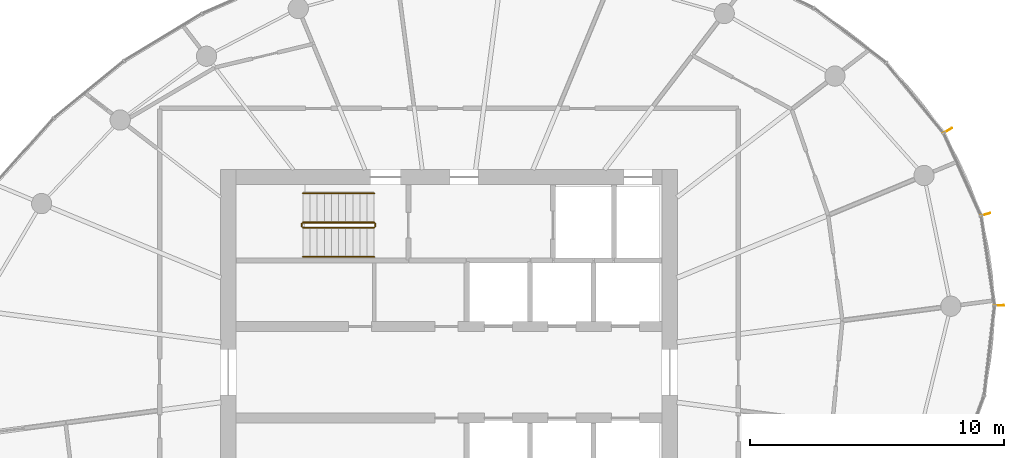
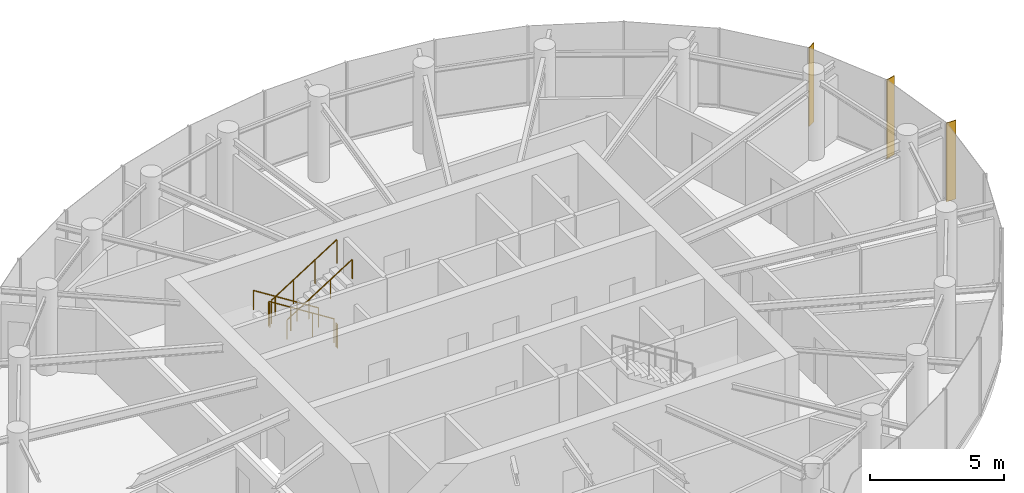
# One storey, part 13 of 13: 6 railings, 3 shading devices.
"""IFC4 building model written with IfcOpenShell, lengths in metres."""

from ifc_helpers import new_model, si_unit, direction, frame, origin, origin_2d, place, context, subcontext, project, spatial, rectangle, circle, extrude, source, transform, mapped, material, material_profile, profile_set, type_object, element, save


model = new_model("IFC4")

# Units and contexts
model_context = context("Model", 3, precision=1e-05, world=origin(), true_north=direction((0.0, 1.0)))
body_context = subcontext(model_context, "Body", "Model", "MODEL_VIEW")
ifc_project = project(units=[si_unit("LENGTHUNIT", "METRE"), si_unit("AREAUNIT", "SQUARE_METRE"), si_unit("VOLUMEUNIT", "CUBIC_METRE"), si_unit("PLANEANGLEUNIT", "RADIAN"), si_unit("MASSUNIT", "GRAM", prefix="KILO")], contexts=[model_context])

# Site, building, storey
site_placement = place(None, origin())
site = spatial("IfcSite", under=ifc_project, at=site_placement, CompositionType="ELEMENT")
building_placement = place(site_placement, origin())
building = spatial("IfcBuilding", under=site, at=building_placement, Name="Spindrift Exchange Tower", CompositionType="ELEMENT")
storey_placement = place(building_placement, frame((0.0, 0.0, 254.0)))
storey = spatial("IfcBuildingStorey", under=building, at=storey_placement, Name="L62", CompositionType="ELEMENT", Elevation=254.0)

# Railings
ifc_material_1 = material(Name="Steel balustrade", Category="steel")
railing_type_1 = type_object("IfcRailingType", Name="RL-STAIR-GUARD", PredefinedType="GUARDRAIL", material=ifc_material_1)
railing_1_placement = place(storey_placement, frame((49.050048828125, 53.89990234375, 0.17724609375)))
element("IfcRailing", 1, at=railing_1_placement, inside=storey, type_object=railing_type_1, Name="L62 ST1 stair guard 1", PredefinedType="GUARDRAIL", context=body_context, shape_type="SweptSolid", body=[
    extrude(circle(Radius=0.02392578125, at=origin_2d()), frame((0.0, 0.0, 1.076171875), z_axis=(-0.844908973607, 0.0, 0.534910110503), x_axis=(0.0, -1.0, 0.0)), (0.0, 0.0, 1.0), 3.31396484375),
    extrude(circle(Radius=0.02099609375, at=origin_2d()), origin(), (0.0, 0.0, 1.0), 1.052001953125),
    extrude(circle(Radius=0.02099609375, at=origin_2d()), frame((-0.933349609375, 0.0, 0.5908203125)), (0.0, 0.0, 1.0), 1.052001953125),
    extrude(circle(Radius=0.02099609375, at=origin_2d()), frame((-1.86669921875, 0.0, 1.181884765625)), (0.0, 0.0, 1.0), 1.052001953125),
    extrude(circle(Radius=0.02099609375, at=origin_2d()), frame((-2.800048828125, 0.0, 1.772705078125)), (0.0, 0.0, 1.0), 1.052001953125),
])
railing_2_placement = place(storey_placement, frame((46.199951171875, 53.85009765625, 1.949951171875)))
element("IfcRailing", 2, at=railing_2_placement, inside=storey, type_object=railing_type_1, Name="L62 ST1 stair guard 2", PredefinedType="GUARDRAIL", context=body_context, shape_type="SweptSolid", body=[
    extrude(circle(Radius=0.02392578125, at=origin_2d()), frame((0.0, 0.0, 1.076171875), z_axis=(0.0, -1.0, 0.0), x_axis=(1.0, 0.0, 0.0)), (0.0, 0.0, 1.0), 0.10009765625),
    extrude(circle(Radius=0.02099609375, at=origin_2d()), origin(), (0.0, 0.0, 1.0), 1.052001953125),
    extrude(circle(Radius=0.02099609375, at=origin_2d()), frame((0.0, -0.10009765625, 0.0)), (0.0, 0.0, 1.0), 1.052001953125),
])
railing_3_placement = place(storey_placement, frame((46.25, 53.699951171875, 2.127197265625)))
element("IfcRailing", 3, at=railing_3_placement, inside=storey, type_object=railing_type_1, Name="L62 ST1 stair guard 3", PredefinedType="GUARDRAIL", context=body_context, shape_type="SweptSolid", body=[
    extrude(circle(Radius=0.02392578125, at=origin_2d()), frame((0.0, 0.0, 1.076171875), z_axis=(0.844908973607, 0.0, 0.534910110503), x_axis=(0.0, 1.0, 0.0)), (0.0, 0.0, 1.0), 3.31396484375),
    extrude(circle(Radius=0.02099609375, at=origin_2d()), origin(), (0.0, 0.0, 1.0), 1.052001953125),
    extrude(circle(Radius=0.02099609375, at=origin_2d()), frame((0.933349609375, 0.0, 0.5908203125)), (0.0, 0.0, 1.0), 1.052001953125),
    extrude(circle(Radius=0.02099609375, at=origin_2d()), frame((1.86669921875, 0.0, 1.181884765625)), (0.0, 0.0, 1.0), 1.052001953125),
    extrude(circle(Radius=0.02099609375, at=origin_2d()), frame((2.800048828125, 0.0, 1.772705078125)), (0.0, 0.0, 1.0), 1.052001953125),
])
railing_4_placement = place(storey_placement, frame((49.10009765625, 53.85009765625, 0.0)))
element("IfcRailing", 4, at=railing_4_placement, inside=storey, type_object=railing_type_1, Name="L62 ST1 stair guard 4", PredefinedType="GUARDRAIL", context=body_context, shape_type="SweptSolid", body=[
    extrude(circle(Radius=0.02392578125, at=origin_2d()), frame((0.0, 0.0, 1.076171875), z_axis=(0.0, -1.0, 0.0), x_axis=(1.0, 0.0, 0.0)), (0.0, 0.0, 1.0), 0.10009765625),
    extrude(circle(Radius=0.02099609375, at=origin_2d()), origin(), (0.0, 0.0, 1.0), 1.052001953125),
    extrude(circle(Radius=0.02099609375, at=origin_2d()), frame((0.0, -0.10009765625, 0.0)), (0.0, 0.0, 1.0), 1.052001953125),
])
ifc_material_2 = material(Name="Steel tubular handrail", Category="steel")
railing_type_2 = type_object("IfcRailingType", Name="RL-STAIR-HAND", PredefinedType="HANDRAIL", material=ifc_material_2)
railing_5_placement = place(storey_placement, frame((49.050048828125, 55.050048828125, 0.17724609375)))
element("IfcRailing", 5, at=railing_5_placement, inside=storey, type_object=railing_type_2, Name="L62 ST1 stair handrail 1", PredefinedType="HANDRAIL", context=body_context, shape_type="SweptSolid", body=[
    extrude(circle(Radius=0.02392578125, at=origin_2d()), frame((0.0, 0.0, 0.8759765625), z_axis=(-0.844908973607, 0.0, 0.534910110503), x_axis=(0.0, -1.0, 0.0)), (0.0, 0.0, 1.0), 3.31396484375),
    extrude(circle(Radius=0.02099609375, at=origin_2d()), origin(), (0.0, 0.0, 1.0), 0.851806640625),
    extrude(circle(Radius=0.02099609375, at=origin_2d()), frame((-0.933349609375, 0.0, 0.5908203125)), (0.0, 0.0, 1.0), 0.851806640625),
    extrude(circle(Radius=0.02099609375, at=origin_2d()), frame((-1.86669921875, 0.0, 1.181884765625)), (0.0, 0.0, 1.0), 0.851806640625),
    extrude(circle(Radius=0.02099609375, at=origin_2d()), frame((-2.800048828125, 0.0, 1.772705078125)), (0.0, 0.0, 1.0), 0.851806640625),
])
railing_6_placement = place(storey_placement, frame((46.25, 52.550048828125, 2.127197265625)))
element("IfcRailing", 6, at=railing_6_placement, inside=storey, type_object=railing_type_2, Name="L62 ST1 stair handrail 2", PredefinedType="HANDRAIL", context=body_context, shape_type="SweptSolid", body=[
    extrude(circle(Radius=0.02392578125, at=origin_2d()), frame((0.0, 0.0, 0.8759765625), z_axis=(0.844908973607, 0.0, 0.534910110503), x_axis=(0.0, 1.0, 0.0)), (0.0, 0.0, 1.0), 3.31396484375),
    extrude(circle(Radius=0.02099609375, at=origin_2d()), origin(), (0.0, 0.0, 1.0), 0.851806640625),
    extrude(circle(Radius=0.02099609375, at=origin_2d()), frame((0.933349609375, 0.0, 0.5908203125)), (0.0, 0.0, 1.0), 0.851806640625),
    extrude(circle(Radius=0.02099609375, at=origin_2d()), frame((1.86669921875, 0.0, 1.181884765625)), (0.0, 0.0, 1.0), 0.851806640625),
    extrude(circle(Radius=0.02099609375, at=origin_2d()), frame((2.800048828125, 0.0, 1.772705078125)), (0.0, 0.0, 1.0), 0.851806640625),
])

# Shading devices
ifc_material_3 = material(Name="Bronze anodised aluminium", Category="aluminium")
ifc_material_profile = material_profile(ifc_material_3, rectangle(XDim=0.030029296875, YDim=0.39990234375, at=origin_2d()), Name="WIND FIN 30X400")
ifc_profile_set = profile_set([ifc_material_profile], Name="Bronze anodised aluminium")
shading_device_type = type_object("IfcShadingDeviceType", Name="WIND FIN 30X400", PredefinedType="USERDEFINED", material=ifc_profile_set)
shared_shape = source(origin(), body_context, "Body", "SweptSolid", [
    extrude(rectangle(XDim=0.030029296875, YDim=0.39990234375, at=origin_2d()), origin(), (0.0, 0.0, 1.0), 3.580078125),
])
for number, where, z_axis, x_axis, name in (
    (7, (73.1337890625, 54.2177734375, 0.0), (0.0, 0.0, 1.0), (-0.282237647428, 0.959344521209, 0.0), "L62 wind fin 4"),
    (8, (71.64404296875, 57.5205078125, 0.0), (0.0, 0.0, 1.0), (-0.527510453317, 0.849548539897, 0.0), "L62 wind fin 5"),
    (9, (73.669921875, 50.634521484375, 0.0), (0.0, 0.0, 1.0), (-0.016609534699, 0.999862052164, 0.0), "L62 wind fin 6"),
):
    element("IfcShadingDevice", number, at=place(storey_placement, frame(where, z_axis=z_axis, x_axis=x_axis)), inside=storey, type_object=shading_device_type, Name=name, ObjectType="FIN", PredefinedType="USERDEFINED", context=body_context, shape_type="MappedRepresentation", body=[
        mapped(shared_shape, transform((0.0, 0.0, 0.0), scale=1.0)),
    ])

save(model, "model.ifc")
